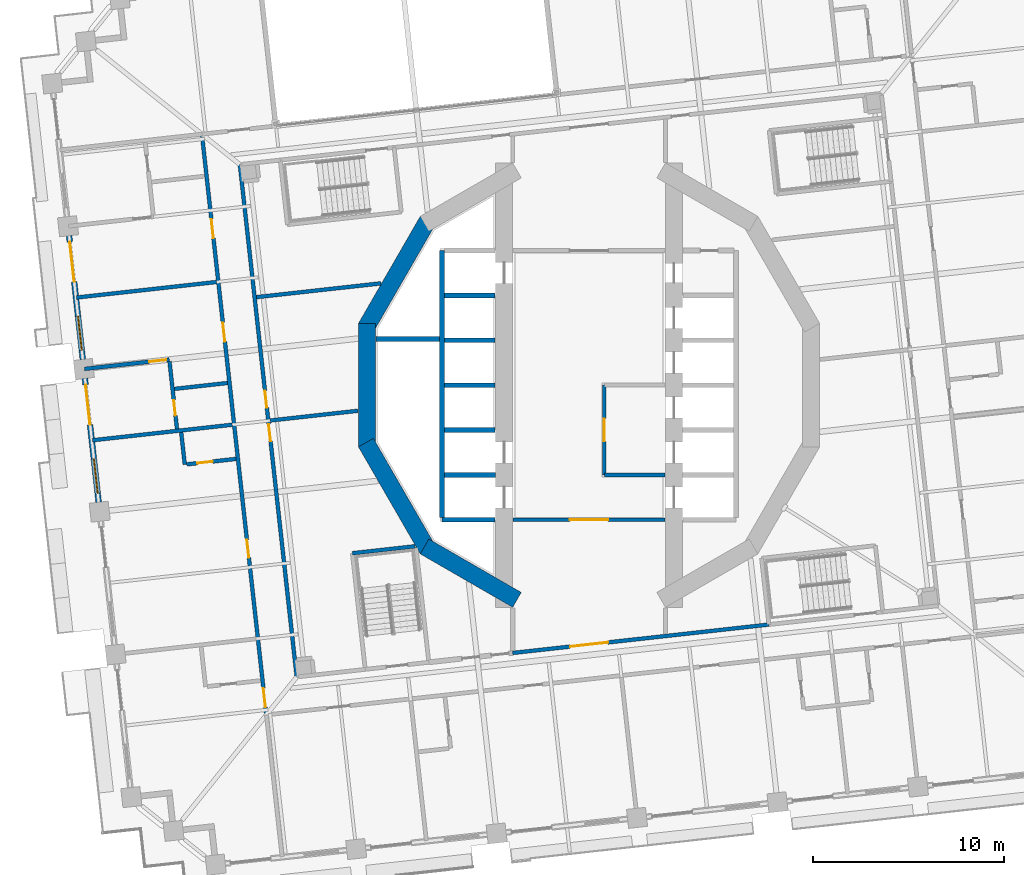
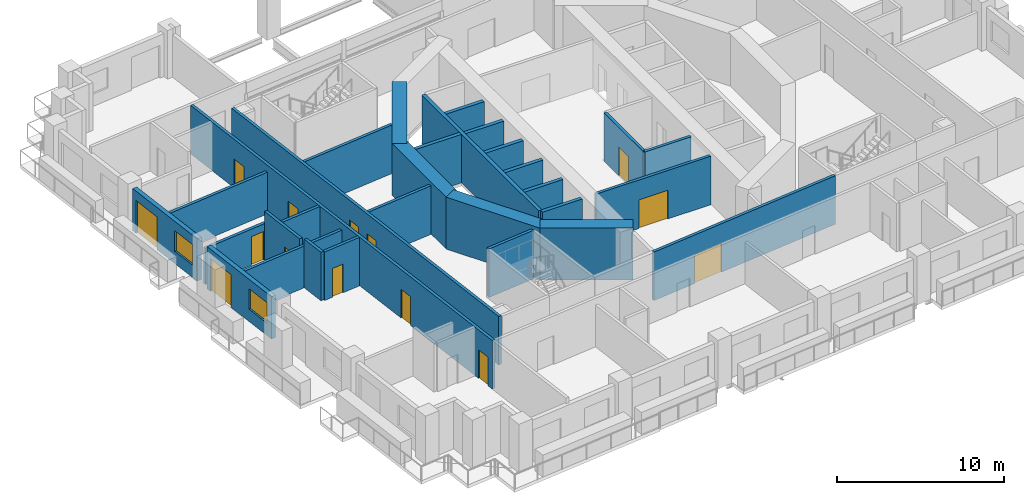
# One storey, part 8 of 21: 30 walls, 14 doors, 2 windows, 16 openings.
"""IFC4 building model written with IfcOpenShell, lengths in metres."""

from ifc_helpers import new_model, si_unit, direction, frame, frame_2d, origin, place, context, subcontext, project, spatial, rectangle, extrude, material, layer, layer_set, type_object, element, fill, save


model = new_model("IFC4")

# Units and contexts
model_context = context("Model", 3, precision=1e-05, world=origin(), true_north=direction((0.0, 1.0)))
body_context = subcontext(model_context, "Body", "Model", "MODEL_VIEW")
ifc_project = project(units=[si_unit("LENGTHUNIT", "METRE"), si_unit("AREAUNIT", "SQUARE_METRE"), si_unit("VOLUMEUNIT", "CUBIC_METRE"), si_unit("PLANEANGLEUNIT", "RADIAN"), si_unit("MASSUNIT", "GRAM", prefix="KILO")], contexts=[model_context])

# Site, building, storey
site_placement = place(None, origin())
site = spatial("IfcSite", under=ifc_project, at=site_placement, CompositionType="ELEMENT")
building_placement = place(site_placement, origin())
building = spatial("IfcBuilding", under=site, at=building_placement, Name="Cantera Rosa Tower", CompositionType="ELEMENT")
storey_placement = place(building_placement, frame((0.0, 0.0, 57.699951171875)))
storey = spatial("IfcBuildingStorey", under=building, at=storey_placement, Name="L11", CompositionType="ELEMENT", Elevation=57.699951171875)

# Wall, openings, doors
ifc_material_1 = material(Name="Gypsum board partition")
ifc_layer_1 = layer(ifc_material_1, 0.199951171875)
ifc_layer_set_1 = layer_set([ifc_layer_1], Name="CORRIDOR WALL 200 H3550")
wall_type_1 = type_object("IfcWallType", Name="CORRIDOR WALL 200 H3550", PredefinedType="PARTITIONING", material=ifc_layer_set_1)
wall_1_placement = place(storey_placement, frame((-20.2626953125, 13.04443359375, 0.0), z_axis=(0.0, 0.0, 1.0), x_axis=(0.110311163664, -0.993897100897, 0.0)))
wall_1 = element("IfcWall", 1, at=wall_1_placement, inside=storey, type_object=wall_type_1, Name="CORRIDOR WALL L11-008", PredefinedType="PARTITIONING", context=body_context, shape_type="SweptSolid", body=[
    extrude(rectangle(XDim=30.5, YDim=0.199951171875, at=frame_2d((15.25, 0.0))), origin(), (0.0, 0.0, 1.0), 3.550048828125),
])
opening_1_placement = place(wall_1_placement, frame((4.389892578125, 0.0, 0.0)))
opening_1 = element("IfcOpeningElement", 2, at=opening_1_placement, cuts=wall_1, Name="Opening L11-029", PredefinedType="OPENING", context=body_context, shape_type="SweptSolid", body=[
    extrude(rectangle(XDim=1.0, YDim=2.10009765625, at=frame_2d((0.5, 1.050048828125))), frame((0.0, 0.10986328125, 0.0), z_axis=(0.0, -1.0, 0.0), x_axis=(1.0, 0.0, 0.0)), (0.0, 0.0, 1.0), 0.219970703125),
])
opening_2_placement = place(wall_1_placement, frame((9.840087890625, 0.0, 0.0)))
opening_2 = element("IfcOpeningElement", 3, at=opening_2_placement, cuts=wall_1, Name="Opening L11-032", PredefinedType="OPENING", context=body_context, shape_type="SweptSolid", body=[
    extrude(rectangle(XDim=1.0, YDim=2.10009765625, at=frame_2d((0.5, 1.050048828125))), frame((0.0, 0.10986328125, 0.0), z_axis=(0.0, -1.0, 0.0), x_axis=(1.0, 0.0, 0.0)), (0.0, 0.0, 1.0), 0.219970703125),
])
opening_3_placement = place(wall_1_placement, frame((21.264892578125, 0.0, 0.0)))
opening_3 = element("IfcOpeningElement", 4, at=opening_3_placement, cuts=wall_1, Name="Opening L11-035", PredefinedType="OPENING", context=body_context, shape_type="SweptSolid", body=[
    extrude(rectangle(XDim=0.949951171875, YDim=2.10009765625, at=frame_2d((0.47509765625, 1.050048828125))), frame((0.0, 0.10986328125, 0.0), z_axis=(0.0, -1.0, 0.0), x_axis=(1.0, 0.0, 0.0)), (0.0, 0.0, 1.0), 0.219970703125),
])
opening_4_placement = place(wall_1_placement, frame((29.090087890625, 0.0, 0.0)))
opening_4 = element("IfcOpeningElement", 5, at=opening_4_placement, cuts=wall_1, Name="Opening L11-037", PredefinedType="OPENING", context=body_context, shape_type="SweptSolid", body=[
    extrude(rectangle(XDim=1.0, YDim=2.10009765625, at=frame_2d((0.5, 1.050048828125))), frame((0.0, 0.10986328125, 0.0), z_axis=(0.0, -1.0, 0.0), x_axis=(1.0, 0.0, 0.0)), (0.0, 0.0, 1.0), 0.219970703125),
])
ifc_material_2 = material(Name="Timber door leaf", Category="wood")
door_type_1 = type_object("IfcDoorType", Name="ENTRANCE DOOR 1000x2100", OperationType="NOTDEFINED", PredefinedType="DOOR", material=ifc_material_2)
door_1_placement = place(opening_1_placement, origin())
door_1 = element("IfcDoor", 6, at=door_1_placement, inside=storey, type_object=door_type_1, Name="DOOR L11-029", OperationType="NOTDEFINED", OverallHeight=2.10009765625, OverallWidth=1.0, PredefinedType="DOOR", context=body_context, shape_type="SweptSolid", body=[
    extrude(rectangle(XDim=1.0, YDim=2.10009765625, at=frame_2d((0.5, 1.050048828125))), frame((0.0, 0.02490234375, 0.0), z_axis=(0.0, -1.0, 0.0), x_axis=(1.0, 0.0, 0.0)), (0.0, 0.0, 1.0), 0.050048828125),
])
fill(opening_1, door_1)
door_2_placement = place(opening_2_placement, origin())
door_2 = element("IfcDoor", 7, at=door_2_placement, inside=storey, type_object=door_type_1, Name="DOOR L11-032", OperationType="NOTDEFINED", OverallHeight=2.10009765625, OverallWidth=1.0, PredefinedType="DOOR", context=body_context, shape_type="SweptSolid", body=[
    extrude(rectangle(XDim=1.0, YDim=2.10009765625, at=frame_2d((0.5, 1.050048828125))), frame((0.0, 0.02490234375, 0.0), z_axis=(0.0, -1.0, 0.0), x_axis=(1.0, 0.0, 0.0)), (0.0, 0.0, 1.0), 0.050048828125),
])
fill(opening_2, door_2)
door_3_placement = place(opening_4_placement, origin())
door_3 = element("IfcDoor", 8, at=door_3_placement, inside=storey, type_object=door_type_1, Name="DOOR L11-037", OperationType="NOTDEFINED", OverallHeight=2.10009765625, OverallWidth=1.0, PredefinedType="DOOR", context=body_context, shape_type="SweptSolid", body=[
    extrude(rectangle(XDim=1.0, YDim=2.10009765625, at=frame_2d((0.5, 1.050048828125))), frame((0.0, 0.02490234375, 0.0), z_axis=(0.0, -1.0, 0.0), x_axis=(1.0, 0.0, 0.0)), (0.0, 0.0, 1.0), 0.050048828125),
])
fill(opening_4, door_3)
ifc_material_3 = material(Name="Timber door leaf", Category="wood")
door_type_2 = type_object("IfcDoorType", Name="ROOM DOOR 950x2100", OperationType="NOTDEFINED", PredefinedType="DOOR", material=ifc_material_3)
door_4_placement = place(opening_3_placement, origin())
door_4 = element("IfcDoor", 9, at=door_4_placement, inside=storey, type_object=door_type_2, Name="DOOR L11-035", OperationType="NOTDEFINED", OverallHeight=2.10009765625, OverallWidth=0.949951171875, PredefinedType="DOOR", context=body_context, shape_type="SweptSolid", body=[
    extrude(rectangle(XDim=0.949951171875, YDim=2.10009765625, at=frame_2d((0.47509765625, 1.050048828125))), frame((0.0, 0.02490234375, 0.0), z_axis=(0.0, -1.0, 0.0), x_axis=(1.0, 0.0, 0.0)), (0.0, 0.0, 1.0), 0.050048828125),
])
fill(opening_3, door_4)

wall_2_placement = place(storey_placement, frame((-18.2861328125, 11.55322265625, 0.0), z_axis=(0.0, 0.0, 1.0), x_axis=(0.110315409641, -0.993896629633, 0.0)))
wall_2 = element("IfcWall", 10, at=wall_2_placement, inside=storey, type_object=wall_type_1, Name="CORRIDOR WALL L11-014", PredefinedType="PARTITIONING", context=body_context, shape_type="SweptSolid", body=[
    extrude(rectangle(XDim=27.0, YDim=0.199951171875, at=frame_2d((13.5, 0.0))), origin(), (0.0, 0.0, 1.0), 3.550048828125),
])
opening_5_placement = place(wall_2_placement, frame((11.91259765625, 0.0, 0.0)))
opening_5 = element("IfcOpeningElement", 11, at=opening_5_placement, cuts=wall_2, Name="Opening L11-008", PredefinedType="OPENING", context=body_context, shape_type="SweptSolid", body=[
    extrude(rectangle(XDim=0.89990234375, YDim=2.10009765625, at=frame_2d((0.449951171875, 1.050048828125))), frame((0.0, 0.10986328125, 0.0), z_axis=(0.0, -1.0, 0.0), x_axis=(1.0, 0.0, 0.0)), (0.0, 0.0, 1.0), 0.219970703125),
])
opening_6_placement = place(wall_2_placement, frame((13.679931640625, 0.0, 0.0)))
opening_6 = element("IfcOpeningElement", 12, at=opening_6_placement, cuts=wall_2, Name="Opening L11-009", PredefinedType="OPENING", context=body_context, shape_type="SweptSolid", body=[
    extrude(rectangle(XDim=0.89990234375, YDim=2.10009765625, at=frame_2d((0.449951171875, 1.050048828125))), frame((0.0, 0.10986328125, 0.0), z_axis=(0.0, -1.0, 0.0), x_axis=(1.0, 0.0, 0.0)), (0.0, 0.0, 1.0), 0.219970703125),
])
ifc_material_4 = material(Name="Timber door leaf", Category="wood")
door_type_3 = type_object("IfcDoorType", Name="SERVICE DOOR 900x2100", OperationType="NOTDEFINED", PredefinedType="DOOR", material=ifc_material_4)
door_5_placement = place(opening_5_placement, origin())
door_5 = element("IfcDoor", 13, at=door_5_placement, inside=storey, type_object=door_type_3, Name="DOOR L11-008", OperationType="NOTDEFINED", OverallHeight=2.10009765625, OverallWidth=0.89990234375, PredefinedType="DOOR", context=body_context, shape_type="SweptSolid", body=[
    extrude(rectangle(XDim=0.89990234375, YDim=2.10009765625, at=frame_2d((0.449951171875, 1.050048828125))), frame((0.0, 0.02490234375, 0.0), z_axis=(0.0, -1.0, 0.0), x_axis=(1.0, 0.0, 0.0)), (0.0, 0.0, 1.0), 0.050048828125),
])
fill(opening_5, door_5)
door_6_placement = place(opening_6_placement, origin())
door_6 = element("IfcDoor", 14, at=door_6_placement, inside=storey, type_object=door_type_3, Name="DOOR L11-009", OperationType="NOTDEFINED", OverallHeight=2.10009765625, OverallWidth=0.89990234375, PredefinedType="DOOR", context=body_context, shape_type="SweptSolid", body=[
    extrude(rectangle(XDim=0.89990234375, YDim=2.10009765625, at=frame_2d((0.449951171875, 1.050048828125))), frame((0.0, 0.02490234375, 0.0), z_axis=(0.0, -1.0, 0.0), x_axis=(1.0, 0.0, 0.0)), (0.0, 0.0, 1.0), 0.050048828125),
])
fill(opening_6, door_6)

# Wall, opening, door
wall_3_placement = place(storey_placement, frame((-4.0, -14.02685546875, 0.0), z_axis=(0.0, 0.0, 1.0), x_axis=(0.993897619869, 0.110306487659, 0.0)))
wall_3 = element("IfcWall", 15, at=wall_3_placement, inside=storey, type_object=wall_type_1, Name="CORRIDOR WALL L11-049", PredefinedType="PARTITIONING", context=body_context, shape_type="SweptSolid", body=[
    extrude(rectangle(XDim=13.5009765625, YDim=0.199951171875, at=frame_2d((6.75048828125, 0.0))), origin(), (0.0, 0.0, 1.0), 3.550048828125),
])
opening_7_placement = place(wall_3_placement, frame((3.024658203125, 0.0, 0.0)))
opening_7 = element("IfcOpeningElement", 16, at=opening_7_placement, cuts=wall_3, Name="Opening L11-014", PredefinedType="OPENING", context=body_context, shape_type="SweptSolid", body=[
    extrude(rectangle(XDim=2.0, YDim=2.10009765625, at=frame_2d((1.0, 1.050048828125))), frame((0.0, 0.10986328125, 0.0), z_axis=(0.0, -1.0, 0.0), x_axis=(1.0, 0.0, 0.0)), (0.0, 0.0, 1.0), 0.219970703125),
])
ifc_material_5 = material(Name="Steel S355J2 (EN 10025-2)", Category="steel")
door_type_4 = type_object("IfcDoorType", Name="LOBBY SCREEN DOOR 2000x2100", OperationType="NOTDEFINED", PredefinedType="DOOR", material=ifc_material_5)
door_7_placement = place(opening_7_placement, origin())
door_7 = element("IfcDoor", 17, at=door_7_placement, inside=storey, type_object=door_type_4, Name="DOOR L11-014", OperationType="NOTDEFINED", OverallHeight=2.10009765625, OverallWidth=2.0, PredefinedType="DOOR", context=body_context, shape_type="SweptSolid", body=[
    extrude(rectangle(XDim=2.0, YDim=2.10009765625, at=frame_2d((1.0, 1.050048828125))), frame((0.0, 0.02490234375, 0.0), z_axis=(0.0, -1.0, 0.0), x_axis=(1.0, 0.0, 0.0)), (0.0, 0.0, 1.0), 0.050048828125),
])
fill(opening_7, door_7)

wall_4_placement = place(storey_placement, frame((3.969970703125, -7.050048828125, 0.0), z_axis=(0.0, 0.0, 1.0), x_axis=(-1.0, 0.0, 0.0)))
wall_4 = element("IfcWall", 18, at=wall_4_placement, inside=storey, type_object=wall_type_1, Name="CORRIDOR WALL L11-057", PredefinedType="PARTITIONING", context=body_context, shape_type="SweptSolid", body=[
    extrude(rectangle(XDim=7.93994140625, YDim=0.199951171875, at=frame_2d((3.969970703125, 0.0))), origin(), (0.0, 0.0, 1.0), 3.550048828125),
])
opening_8_placement = place(wall_4_placement, frame((2.969970703125, 0.0, 0.0)))
opening_8 = element("IfcOpeningElement", 19, at=opening_8_placement, cuts=wall_4, Name="Opening L11-015", PredefinedType="OPENING", context=body_context, shape_type="SweptSolid", body=[
    extrude(rectangle(XDim=2.0, YDim=2.10009765625, at=frame_2d((1.0, 1.050048828125))), frame((0.0, 0.10986328125, 0.0), z_axis=(0.0, -1.0, 0.0), x_axis=(1.0, 0.0, 0.0)), (0.0, 0.0, 1.0), 0.219970703125),
])
door_8_placement = place(opening_8_placement, origin())
door_8 = element("IfcDoor", 20, at=door_8_placement, inside=storey, type_object=door_type_4, Name="DOOR L11-015", OperationType="NOTDEFINED", OverallHeight=2.10009765625, OverallWidth=2.0, PredefinedType="DOOR", context=body_context, shape_type="SweptSolid", body=[
    extrude(rectangle(XDim=2.0, YDim=2.10009765625, at=frame_2d((1.0, 1.050048828125))), frame((0.0, 0.02490234375, 0.0), z_axis=(0.0, -1.0, 0.0), x_axis=(1.0, 0.0, 0.0)), (0.0, 0.0, 1.0), 0.050048828125),
])
fill(opening_8, door_8)

# Wall, openings, window, door
ifc_material_6 = material(Name="Hollow clay masonry with cantera stone cladding", Category="masonry")
ifc_layer_2 = layer(ifc_material_6, 0.300048828125)
ifc_layer_set_2 = layer_set([ifc_layer_2], Name="EW-LOGGIA 300 H3090")
wall_type_2 = type_object("IfcWallType", Name="EW-LOGGIA 300 H3090", PredefinedType="SOLIDWALL", material=ifc_layer_set_2)
wall_5_placement = place(storey_placement, frame((-27.229248046875, 7.823974609375, 0.0), z_axis=(0.0, 0.0, 1.0), x_axis=(0.110312341265, -0.993896970196, 0.0)))
wall_5 = element("IfcWall", 21, at=wall_5_placement, inside=storey, type_object=wall_type_2, Name="EN-L11-W17", PredefinedType="SOLIDWALL", context=body_context, shape_type="SweptSolid", body=[
    extrude(rectangle(XDim=6.52001953125, YDim=0.300048828125, at=frame_2d((3.260009765625, 0.0))), origin(), (0.0, 0.0, 1.0), 3.090087890625),
])
opening_9_placement = place(wall_5_placement, frame((0.330078125, 0.0, 0.0)))
opening_9 = element("IfcOpeningElement", 22, at=opening_9_placement, cuts=wall_5, Name="Opening L11-TD21", PredefinedType="OPENING", context=body_context, shape_type="SweptSolid", body=[
    extrude(rectangle(XDim=2.10009765625, YDim=2.39990234375, at=frame_2d((1.050048828125, 1.199951171875))), frame((0.0, 0.159912109375, 0.0), z_axis=(0.0, -1.0, 0.0), x_axis=(1.0, 0.0, 0.0)), (0.0, 0.0, 1.0), 0.320068359375),
])
opening_10_placement = place(wall_5_placement, frame((4.239990234375, 0.0, 0.89990234375)))
opening_10 = element("IfcOpeningElement", 23, at=opening_10_placement, cuts=wall_5, Name="Opening L11-W22", PredefinedType="OPENING", context=body_context, shape_type="SweptSolid", body=[
    extrude(rectangle(XDim=1.800048828125, YDim=1.5, at=frame_2d((0.89990234375, 0.75))), frame((0.0, 0.159912109375, 0.0), z_axis=(0.0, -1.0, 0.0), x_axis=(1.0, 0.0, 0.0)), (0.0, 0.0, 1.0), 0.320068359375),
])
ifc_material_7 = material(Name="Aluminium frame with clear glass", Category="aluminium")
window_type = type_object("IfcWindowType", Name="Hotel room window 1800x1500", PartitioningType="DOUBLE_PANEL_VERTICAL", PredefinedType="WINDOW", material=ifc_material_7)
window_1_placement = place(opening_10_placement, origin())
window_1 = element("IfcWindow", 24, at=window_1_placement, inside=storey, type_object=window_type, Name="WINDOW L11-W22", OverallHeight=1.5, OverallWidth=1.800048828125, PartitioningType="SINGLE_PANEL", PredefinedType="WINDOW", context=body_context, shape_type="SweptSolid", body=[
    extrude(rectangle(XDim=1.800048828125, YDim=1.5, at=frame_2d((0.89990234375, 0.75))), frame((0.0, 0.030029296875, 0.0), z_axis=(0.0, -1.0, 0.0), x_axis=(1.0, 0.0, 0.0)), (0.0, 0.0, 1.0), 0.06005859375),
])
fill(opening_10, window_1)
ifc_material_8 = material(Name="Aluminium frame with clear glass", Category="aluminium")
door_type_5 = type_object("IfcDoorType", Name="TD-H 2100x2400", OperationType="NOTDEFINED", PredefinedType="DOOR", material=ifc_material_8)
door_9_placement = place(opening_9_placement, origin())
door_9 = element("IfcDoor", 25, at=door_9_placement, inside=storey, type_object=door_type_5, Name="LOGGIA DOOR L11-TD21", OperationType="SLIDING_TO_LEFT", OverallHeight=2.39990234375, OverallWidth=2.10009765625, PredefinedType="DOOR", context=body_context, shape_type="SweptSolid", body=[
    extrude(rectangle(XDim=2.10009765625, YDim=2.39990234375, at=frame_2d((1.050048828125, 1.199951171875))), frame((0.0, 0.02490234375, 0.0), z_axis=(0.0, -1.0, 0.0), x_axis=(1.0, 0.0, 0.0)), (0.0, 0.0, 1.0), 0.050048828125),
])
fill(opening_9, door_9)

wall_6_placement = place(storey_placement, frame((-26.399658203125, 0.349853515625, 0.0), z_axis=(0.0, 0.0, 1.0), x_axis=(0.110312341265, -0.993896970196, 0.0)))
wall_6 = element("IfcWall", 26, at=wall_6_placement, inside=storey, type_object=wall_type_2, Name="EN-L11-W18", PredefinedType="SOLIDWALL", context=body_context, shape_type="SweptSolid", body=[
    extrude(rectangle(XDim=6.52001953125, YDim=0.300048828125, at=frame_2d((3.260009765625, 0.0))), origin(), (0.0, 0.0, 1.0), 3.090087890625),
])
opening_11_placement = place(wall_6_placement, frame((0.330078125, 0.0, 0.0)))
opening_11 = element("IfcOpeningElement", 27, at=opening_11_placement, cuts=wall_6, Name="Opening L11-TD23", PredefinedType="OPENING", context=body_context, shape_type="SweptSolid", body=[
    extrude(rectangle(XDim=2.10009765625, YDim=2.39990234375, at=frame_2d((1.050048828125, 1.199951171875))), frame((0.0, 0.159912109375, 0.0), z_axis=(0.0, -1.0, 0.0), x_axis=(1.0, 0.0, 0.0)), (0.0, 0.0, 1.0), 0.320068359375),
])
opening_12_placement = place(wall_6_placement, frame((4.239990234375, 0.0, 0.89990234375)))
opening_12 = element("IfcOpeningElement", 28, at=opening_12_placement, cuts=wall_6, Name="Opening L11-W24", PredefinedType="OPENING", context=body_context, shape_type="SweptSolid", body=[
    extrude(rectangle(XDim=1.800048828125, YDim=1.5, at=frame_2d((0.89990234375, 0.75))), frame((0.0, 0.159912109375, 0.0), z_axis=(0.0, -1.0, 0.0), x_axis=(1.0, 0.0, 0.0)), (0.0, 0.0, 1.0), 0.320068359375),
])
window_2_placement = place(opening_12_placement, origin())
window_2 = element("IfcWindow", 29, at=window_2_placement, inside=storey, type_object=window_type, Name="WINDOW L11-W24", OverallHeight=1.5, OverallWidth=1.800048828125, PartitioningType="SINGLE_PANEL", PredefinedType="WINDOW", context=body_context, shape_type="SweptSolid", body=[
    extrude(rectangle(XDim=1.800048828125, YDim=1.5, at=frame_2d((0.89990234375, 0.75))), frame((0.0, 0.030029296875, 0.0), z_axis=(0.0, -1.0, 0.0), x_axis=(1.0, 0.0, 0.0)), (0.0, 0.0, 1.0), 0.06005859375),
])
fill(opening_12, window_2)
door_10_placement = place(opening_11_placement, origin())
door_10 = element("IfcDoor", 30, at=door_10_placement, inside=storey, type_object=door_type_5, Name="LOGGIA DOOR L11-TD23", OperationType="SLIDING_TO_LEFT", OverallHeight=2.39990234375, OverallWidth=2.10009765625, PredefinedType="DOOR", context=body_context, shape_type="SweptSolid", body=[
    extrude(rectangle(XDim=2.10009765625, YDim=2.39990234375, at=frame_2d((1.050048828125, 1.199951171875))), frame((0.0, 0.02490234375, 0.0), z_axis=(0.0, -1.0, 0.0), x_axis=(1.0, 0.0, 0.0)), (0.0, 0.0, 1.0), 0.050048828125),
])
fill(opening_11, door_10)

# Wall, opening, door
ifc_material_9 = material(Name="Gypsum board partition")
ifc_layer_3 = layer(ifc_material_9, 0.199951171875)
ifc_layer_set_3 = layer_set([ifc_layer_3], Name="PARTITION 200 H2650")
wall_type_3 = type_object("IfcWallType", Name="PARTITION 200 H2650", PredefinedType="PARTITIONING", material=ifc_layer_set_3)
wall_7_placement = place(storey_placement, frame((-26.425048828125, 0.85009765625, 0.0), z_axis=(0.0, 0.0, 1.0), x_axis=(0.993895052822, 0.11032961514, 0.0)))
wall_7 = element("IfcWall", 31, at=wall_7_placement, inside=storey, type_object=wall_type_3, Name="PARTITION L11-001", PredefinedType="PARTITIONING", context=body_context, shape_type="SweptSolid", body=[
    extrude(rectangle(XDim=4.469970703125, YDim=0.199951171875, at=frame_2d((2.23486328125, 0.0))), origin(), (0.0, 0.0, 1.0), 2.650146484375),
])
opening_13_placement = place(wall_7_placement, frame((3.419921875, 0.0, 0.0)))
opening_13 = element("IfcOpeningElement", 32, at=opening_13_placement, cuts=wall_7, Name="Opening L11-033", PredefinedType="OPENING", context=body_context, shape_type="SweptSolid", body=[
    extrude(rectangle(XDim=0.89990234375, YDim=2.10009765625, at=frame_2d((0.449951171875, 1.050048828125))), frame((0.0, 0.10986328125, 0.0), z_axis=(0.0, -1.0, 0.0), x_axis=(1.0, 0.0, 0.0)), (0.0, 0.0, 1.0), 0.219970703125),
])
ifc_material_10 = material(Name="Timber door leaf", Category="wood")
door_type_6 = type_object("IfcDoorType", Name="ROOM DOOR 900x2100", OperationType="NOTDEFINED", PredefinedType="DOOR", material=ifc_material_10)
door_11_placement = place(opening_13_placement, origin())
door_11 = element("IfcDoor", 33, at=door_11_placement, inside=storey, type_object=door_type_6, Name="DOOR L11-033", OperationType="NOTDEFINED", OverallHeight=2.10009765625, OverallWidth=0.89990234375, PredefinedType="DOOR", context=body_context, shape_type="SweptSolid", body=[
    extrude(rectangle(XDim=0.89990234375, YDim=2.10009765625, at=frame_2d((0.449951171875, 1.050048828125))), frame((0.0, 0.02490234375, 0.0), z_axis=(0.0, -1.0, 0.0), x_axis=(1.0, 0.0, 0.0)), (0.0, 0.0, 1.0), 0.050048828125),
])
fill(opening_13, door_11)

ifc_material_11 = material(Name="Gypsum board partition")
ifc_layer_4 = layer(ifc_material_11, 0.199951171875)
ifc_layer_set_4 = layer_set([ifc_layer_4], Name="PARTITION 200 H3550")
wall_type_4 = type_object("IfcWallType", Name="PARTITION 200 H3550", PredefinedType="PARTITIONING", material=ifc_layer_set_4)
wall_8_placement = place(storey_placement, frame((-21.97119140625, 1.243896484375, 0.0), z_axis=(0.0, 0.0, 1.0), x_axis=(0.110273460699, -0.993901284769, 0.0)))
wall_8 = element("IfcWall", 34, at=wall_8_placement, inside=storey, type_object=wall_type_4, Name="PARTITION L11-004", PredefinedType="PARTITIONING", context=body_context, shape_type="SweptSolid", body=[
    extrude(rectangle(XDim=3.56005859375, YDim=0.199951171875, at=frame_2d((1.780029296875, 0.0))), origin(), (0.0, 0.0, 1.0), 3.550048828125),
])
opening_14_placement = place(wall_8_placement, frame((2.050048828125, 0.0, 0.0)))
opening_14 = element("IfcOpeningElement", 35, at=opening_14_placement, cuts=wall_8, Name="Opening L11-034", PredefinedType="OPENING", context=body_context, shape_type="SweptSolid", body=[
    extrude(rectangle(XDim=0.800048828125, YDim=2.10009765625, at=frame_2d((0.39990234375, 1.050048828125))), frame((0.0, 0.10986328125, 0.0), z_axis=(0.0, -1.0, 0.0), x_axis=(1.0, 0.0, 0.0)), (0.0, 0.0, 1.0), 0.219970703125),
])
ifc_material_12 = material(Name="Timber door leaf", Category="wood")
door_type_7 = type_object("IfcDoorType", Name="BATHROOM DOOR 800x2100", OperationType="NOTDEFINED", PredefinedType="DOOR", material=ifc_material_12)
door_12_placement = place(opening_14_placement, origin())
door_12 = element("IfcDoor", 36, at=door_12_placement, inside=storey, type_object=door_type_7, Name="DOOR L11-034", OperationType="NOTDEFINED", OverallHeight=2.10009765625, OverallWidth=0.800048828125, PredefinedType="DOOR", context=body_context, shape_type="SweptSolid", body=[
    extrude(rectangle(XDim=0.800048828125, YDim=2.10009765625, at=frame_2d((0.39990234375, 1.050048828125))), frame((0.0, 0.02490234375, 0.0), z_axis=(0.0, -1.0, 0.0), x_axis=(1.0, 0.0, 0.0)), (0.0, 0.0, 1.0), 0.050048828125),
])
fill(opening_14, door_12)

# Walls
wall_9_placement = place(storey_placement, frame((-21.7109375, -0.1962890625, 0.0), z_axis=(0.0, 0.0, 1.0), x_axis=(0.99388905004, 0.110383677283, 0.0)))
element("IfcWall", 37, at=wall_9_placement, inside=storey, type_object=wall_type_4, Name="PARTITION L11-005", PredefinedType="PARTITIONING", context=body_context, shape_type="SweptSolid", body=[
    extrude(rectangle(XDim=2.800048828125, YDim=0.199951171875, at=frame_2d((1.39990234375, 0.0))), origin(), (0.0, 0.0, 1.0), 3.550048828125),
])
wall_10_placement = place(storey_placement, frame((-21.170166015625, -4.16064453125, 0.0), z_axis=(0.0, 0.0, 1.0), x_axis=(-0.110447289733, 0.99388198303, 0.0)))
element("IfcWall", 38, at=wall_10_placement, inside=storey, type_object=wall_type_4, Name="PARTITION L11-006", PredefinedType="PARTITIONING", context=body_context, shape_type="SweptSolid", body=[
    extrude(rectangle(XDim=1.699951171875, YDim=0.199951171875, at=frame_2d((0.85009765625, 0.0))), origin(), (0.0, 0.0, 1.0), 3.550048828125),
])

# Wall, opening, door
wall_11_placement = place(storey_placement, frame((-18.48681640625, -3.86279296875, 0.0), z_axis=(0.0, 0.0, 1.0), x_axis=(-0.993894037028, -0.110338765449, 0.0)))
wall_11 = element("IfcWall", 39, at=wall_11_placement, inside=storey, type_object=wall_type_4, Name="PARTITION L11-013", PredefinedType="PARTITIONING", context=body_context, shape_type="SweptSolid", body=[
    extrude(rectangle(XDim=2.599853515625, YDim=0.199951171875, at=frame_2d((1.2998046875, 0.0))), origin(), (0.0, 0.0, 1.0), 3.550048828125),
])
opening_15_placement = place(wall_11_placement, frame((1.236083984375, 0.0, 0.0)))
opening_15 = element("IfcOpeningElement", 40, at=opening_15_placement, cuts=wall_11, Name="Opening L11-036", PredefinedType="OPENING", context=body_context, shape_type="SweptSolid", body=[
    extrude(rectangle(XDim=0.800048828125, YDim=2.10009765625, at=frame_2d((0.39990234375, 1.050048828125))), frame((0.0, 0.10986328125, 0.0), z_axis=(0.0, -1.0, 0.0), x_axis=(1.0, 0.0, 0.0)), (0.0, 0.0, 1.0), 0.219970703125),
])
door_13_placement = place(opening_15_placement, origin())
door_13 = element("IfcDoor", 41, at=door_13_placement, inside=storey, type_object=door_type_7, Name="DOOR L11-036", OperationType="NOTDEFINED", OverallHeight=2.10009765625, OverallWidth=0.800048828125, PredefinedType="DOOR", context=body_context, shape_type="SweptSolid", body=[
    extrude(rectangle(XDim=0.800048828125, YDim=2.10009765625, at=frame_2d((0.39990234375, 1.050048828125))), frame((0.0, 0.02490234375, 0.0), z_axis=(0.0, -1.0, 0.0), x_axis=(1.0, 0.0, 0.0)), (0.0, 0.0, 1.0), 0.050048828125),
])
fill(opening_15, door_13)

# Walls
wall_12_placement = place(storey_placement, frame((-12.10400390625, -1.343505859375, 0.0), z_axis=(0.0, 0.0, 1.0), x_axis=(-0.993898542439, -0.11029817468, 0.0)))
element("IfcWall", 42, at=wall_12_placement, inside=storey, type_object=wall_type_4, Name="PARTITION L11-029", PredefinedType="PARTITIONING", context=body_context, shape_type="SweptSolid", body=[
    extrude(rectangle(XDim=4.621826171875, YDim=0.199951171875, at=frame_2d((2.31103515625, 0.0))), origin(), (0.0, 0.0, 1.0), 3.550048828125),
])
wall_13_placement = place(storey_placement, frame((-10.899169921875, 5.330078125, 0.0), z_axis=(0.0, 0.0, 1.0), x_axis=(-0.993900981435, -0.110276194628, 0.0)))
element("IfcWall", 43, at=wall_13_placement, inside=storey, type_object=wall_type_4, Name="PARTITION L11-032", PredefinedType="PARTITIONING", context=body_context, shape_type="SweptSolid", body=[
    extrude(rectangle(XDim=6.555419921875, YDim=0.199951171875, at=frame_2d((3.27783203125, 0.0))), origin(), (0.0, 0.0, 1.0), 3.550048828125),
])
ifc_material_13 = material(Name="Gypsum board partition")
ifc_layer_5 = layer(ifc_material_13, 0.199951171875)
ifc_layer_set_5 = layer_set([ifc_layer_5], Name="PARTY WALL 200 H3050")
wall_type_5 = type_object("IfcWallType", Name="PARTY WALL 200 H3050", PredefinedType="PARTITIONING", material=ifc_layer_set_5)
for number, where, z_axis, x_axis, name in (
    (44, (-19.514892578125, 5.400146484375, 0.0), (0.0, 0.0, 1.0), (-0.993897058864, -0.11031154238, 0.0), "PARTY WALL L11-011"),
    (45, (-18.685302734375, -2.073974609375, 0.0), (0.0, 0.0, 1.0), (-0.993897058864, -0.11031154238, 0.0), "PARTY WALL L11-012"),
):
    element("IfcWall", number, at=place(storey_placement, frame(where, z_axis=z_axis, x_axis=x_axis)), inside=storey, type_object=wall_type_5, Name=name, PredefinedType="PARTITIONING", context=body_context, shape_type="SweptSolid", body=[
        extrude(rectangle(XDim=7.369873046875, YDim=0.199951171875, at=frame_2d((3.68505859375, 0.0))), origin(), (0.0, 0.0, 1.0), 3.050048828125),
    ])
ifc_material_14 = material(Name="Concrete C70/85", Category="concrete")
ifc_layer_6 = layer(ifc_material_14, 0.89990234375)
ifc_layer_set_6 = layer_set([ifc_layer_6], Name="RC CORE WALL 900 C70/85")
wall_type_6 = type_object("IfcWallType", Name="RC CORE WALL 900 C70/85", PredefinedType="SHEAR", material=ifc_layer_set_6)
wall_14_placement = place(storey_placement, frame((-3.77490234375, -11.242919921875, 0.0), z_axis=(0.0, 0.0, 1.0), x_axis=(-0.866026961591, 0.49999730179, 0.0)))
element("IfcWall", 46, at=wall_14_placement, inside=storey, type_object=wall_type_6, Name="CW-W1 L11", PredefinedType="SHEAR", context=body_context, shape_type="SweptSolid", body=[
    extrude(rectangle(XDim=5.58740234375, YDim=0.89990234375, at=frame_2d((2.793701171875, 0.0))), origin(), (0.0, 0.0, 1.0), 3.800048828125),
])
wall_15_placement = place(storey_placement, frame((-8.44921875, -8.61376953125, 0.0), z_axis=(0.0, 0.0, 1.0), x_axis=(-0.499990282633, 0.866031014036, 0.0)))
element("IfcWall", 47, at=wall_15_placement, inside=storey, type_object=wall_type_6, Name="CW-W2 L11", PredefinedType="SHEAR", context=body_context, shape_type="SweptSolid", body=[
    extrude(rectangle(XDim=6.470458984375, YDim=0.89990234375, at=frame_2d((3.2353515625, 0.0))), origin(), (0.0, 0.0, 1.0), 3.800048828125),
])
wall_16_placement = place(storey_placement, frame((-11.6240234375, -3.2353515625, 0.0), z_axis=(0.0, 0.0, 1.0), x_axis=(0.0, 1.0, 0.0)))
element("IfcWall", 48, at=wall_16_placement, inside=storey, type_object=wall_type_6, Name="CW-W3 L11", PredefinedType="SHEAR", context=body_context, shape_type="SweptSolid", body=[
    extrude(rectangle(XDim=6.470703125, YDim=0.89990234375, at=frame_2d((3.2353515625, 0.0))), origin(), (0.0, 0.0, 1.0), 3.800048828125),
])
wall_17_placement = place(storey_placement, frame((-11.684326171875, 3.01025390625, 0.0), z_axis=(0.0, 0.0, 1.0), x_axis=(0.499990282633, 0.866031014036, 0.0)))
element("IfcWall", 49, at=wall_17_placement, inside=storey, type_object=wall_type_6, Name="CW-W4 L11", PredefinedType="SHEAR", context=body_context, shape_type="SweptSolid", body=[
    extrude(rectangle(XDim=6.470458984375, YDim=0.89990234375, at=frame_2d((3.2353515625, 0.0))), origin(), (0.0, 0.0, 1.0), 3.800048828125),
])
ifc_material_15 = material(Name="Masonry blockwork", Category="masonry")
ifc_layer_7 = layer(ifc_material_15, 0.25)
ifc_layer_set_7 = layer_set([ifc_layer_7], Name="SHAFT WALL 250 H3550")
wall_type_7 = type_object("IfcWallType", Name="SHAFT WALL 250 H3550", PredefinedType="SOLIDWALL", material=ifc_layer_set_7)
wall_18_placement = place(storey_placement, frame((-11.14404296875, 2.417724609375, 0.0), z_axis=(0.0, 0.0, 1.0), x_axis=(1.0, 0.0, 0.0)))
element("IfcWall", 50, at=wall_18_placement, inside=storey, type_object=wall_type_7, Name="SHAFT WALL L11-031", PredefinedType="SOLIDWALL", context=body_context, shape_type="SweptSolid", body=[
    extrude(rectangle(XDim=3.319091796875, YDim=0.25, at=frame_2d((1.65966796875, 0.0))), origin(), (0.0, 0.0, 1.0), 3.550048828125),
])
wall_19_placement = place(storey_placement, frame((-7.699951171875, -7.050048828125, 0.0), z_axis=(0.0, 0.0, 1.0), x_axis=(1.0, 0.0, 0.0)))
element("IfcWall", 51, at=wall_19_placement, inside=storey, type_object=wall_type_7, Name="SHAFT WALL L11-039", PredefinedType="SOLIDWALL", context=body_context, shape_type="SweptSolid", body=[
    extrude(rectangle(XDim=2.77001953125, YDim=0.25, at=frame_2d((1.385009765625, 0.0))), origin(), (0.0, 0.0, 1.0), 3.550048828125),
])
wall_20_placement = place(storey_placement, frame((-7.574951171875, -4.699951171875, 0.0), z_axis=(0.0, 0.0, 1.0), x_axis=(1.0, 0.0, 0.0)))
element("IfcWall", 52, at=wall_20_placement, inside=storey, type_object=wall_type_7, Name="SHAFT WALL L11-040", PredefinedType="SOLIDWALL", context=body_context, shape_type="SweptSolid", body=[
    extrude(rectangle(XDim=2.675048828125, YDim=0.25, at=frame_2d((1.33740234375, 0.0))), origin(), (0.0, 0.0, 1.0), 3.550048828125),
])
for number, where, z_axis, x_axis, name in (
    (53, (-7.574951171875, -2.35009765625, 0.0), (0.0, 0.0, 1.0), (1.0, 0.0, 0.0), "SHAFT WALL L11-041"),
    (54, (-7.574951171875, 0.0, 0.0), (0.0, 0.0, 1.0), (1.0, 0.0, 0.0), "SHAFT WALL L11-042"),
    (55, (-7.574951171875, 2.35009765625, 0.0), (0.0, 0.0, 1.0), (1.0, 0.0, 0.0), "SHAFT WALL L11-043"),
    (56, (-7.574951171875, 4.699951171875, 0.0), (0.0, 0.0, 1.0), (1.0, 0.0, 0.0), "SHAFT WALL L11-044"),
):
    element("IfcWall", number, at=place(storey_placement, frame(where, z_axis=z_axis, x_axis=x_axis)), inside=storey, type_object=wall_type_7, Name=name, PredefinedType="SOLIDWALL", context=body_context, shape_type="SweptSolid", body=[
        extrude(rectangle(XDim=2.64501953125, YDim=0.25, at=frame_2d((1.322509765625, 0.0))), origin(), (0.0, 0.0, 1.0), 3.550048828125),
    ])
wall_21_placement = place(storey_placement, frame((-7.699951171875, 7.050048828125, 0.0), z_axis=(0.0, 0.0, 1.0), x_axis=(0.0, -1.0, 0.0)))
element("IfcWall", 57, at=wall_21_placement, inside=storey, type_object=wall_type_7, Name="SHAFT WALL L11-045", PredefinedType="SOLIDWALL", context=body_context, shape_type="SweptSolid", body=[
    extrude(rectangle(XDim=13.97998046875, YDim=0.25, at=frame_2d((6.989990234375, 0.0))), origin(), (0.0, 0.0, 1.0), 3.550048828125),
])
ifc_material_16 = material(Name="Concrete C50/60", Category="concrete")
ifc_layer_8 = layer(ifc_material_16, 0.199951171875)
ifc_layer_set_8 = layer_set([ifc_layer_8], Name="STAIR WALL 200 H3550")
wall_type_8 = type_object("IfcWallType", Name="STAIR WALL 200 H3550", PredefinedType="SOLIDWALL", material=ifc_layer_set_8)
wall_22_placement = place(storey_placement, frame((-9.10498046875, -8.437744140625, 0.0), z_axis=(0.0, 0.0, 1.0), x_axis=(-0.993897215684, -0.110310129436, 0.0)))
element("IfcWall", 58, at=wall_22_placement, inside=storey, type_object=wall_type_8, Name="STAIR WALL L11-036", PredefinedType="SOLIDWALL", context=body_context, shape_type="SweptSolid", body=[
    extrude(rectangle(XDim=3.31103515625, YDim=0.199951171875, at=frame_2d((1.655517578125, 0.0))), origin(), (0.0, 0.0, 1.0), 3.550048828125),
])

# Wall, opening, door
wall_23_placement = place(storey_placement, frame((0.800048828125, -4.699951171875, 0.0), z_axis=(0.0, 0.0, 1.0), x_axis=(0.0, 1.0, 0.0)))
wall_23 = element("IfcWall", 59, at=wall_23_placement, inside=storey, type_object=wall_type_8, Name="STAIR WALL L11-054", PredefinedType="SOLIDWALL", context=body_context, shape_type="SweptSolid", body=[
    extrude(rectangle(XDim=4.699951171875, YDim=0.199951171875, at=frame_2d((2.35009765625, 0.0))), origin(), (0.0, 0.0, 1.0), 3.550048828125),
])
opening_16_placement = place(wall_23_placement, frame((1.75, 0.0, 0.0)))
opening_16 = element("IfcOpeningElement", 60, at=opening_16_placement, cuts=wall_23, Name="Opening L11-016", PredefinedType="OPENING", context=body_context, shape_type="SweptSolid", body=[
    extrude(rectangle(XDim=1.199951171875, YDim=2.10009765625, at=frame_2d((0.60009765625, 1.050048828125))), frame((0.0, 0.10986328125, 0.0), z_axis=(0.0, -1.0, 0.0), x_axis=(1.0, 0.0, 0.0)), (0.0, 0.0, 1.0), 0.219970703125),
])
ifc_material_17 = material(Name="Steel S355J2 (EN 10025-2)", Category="steel")
door_type_8 = type_object("IfcDoorType", Name="FIRE DOOR 1200x2100", OperationType="NOTDEFINED", PredefinedType="DOOR", material=ifc_material_17)
door_14_placement = place(opening_16_placement, origin())
door_14 = element("IfcDoor", 61, at=door_14_placement, inside=storey, type_object=door_type_8, Name="DOOR L11-016", OperationType="NOTDEFINED", OverallHeight=2.10009765625, OverallWidth=1.199951171875, PredefinedType="DOOR", context=body_context, shape_type="SweptSolid", body=[
    extrude(rectangle(XDim=1.199951171875, YDim=2.10009765625, at=frame_2d((0.60009765625, 1.050048828125))), frame((0.0, 0.02490234375, 0.0), z_axis=(0.0, -1.0, 0.0), x_axis=(1.0, 0.0, 0.0)), (0.0, 0.0, 1.0), 0.050048828125),
])
fill(opening_16, door_14)

# Wall
wall_24_placement = place(storey_placement, frame((3.969970703125, -4.699951171875, 0.0), z_axis=(0.0, 0.0, 1.0), x_axis=(-1.0, 0.0, 0.0)))
element("IfcWall", 62, at=wall_24_placement, inside=storey, type_object=wall_type_8, Name="STAIR WALL L11-058", PredefinedType="SOLIDWALL", context=body_context, shape_type="SweptSolid", body=[
    extrude(rectangle(XDim=3.169921875, YDim=0.199951171875, at=frame_2d((1.5849609375, 0.0))), origin(), (0.0, 0.0, 1.0), 3.550048828125),
])

save(model, "model.ifc")
